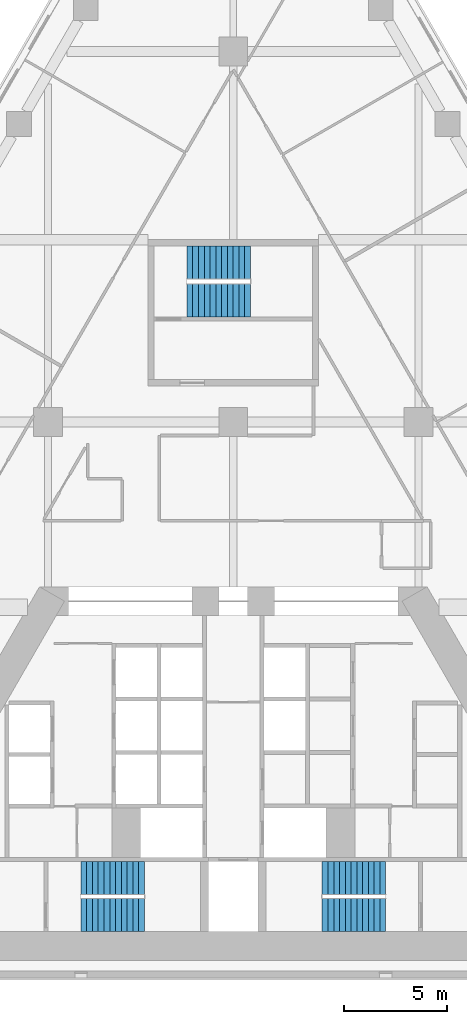
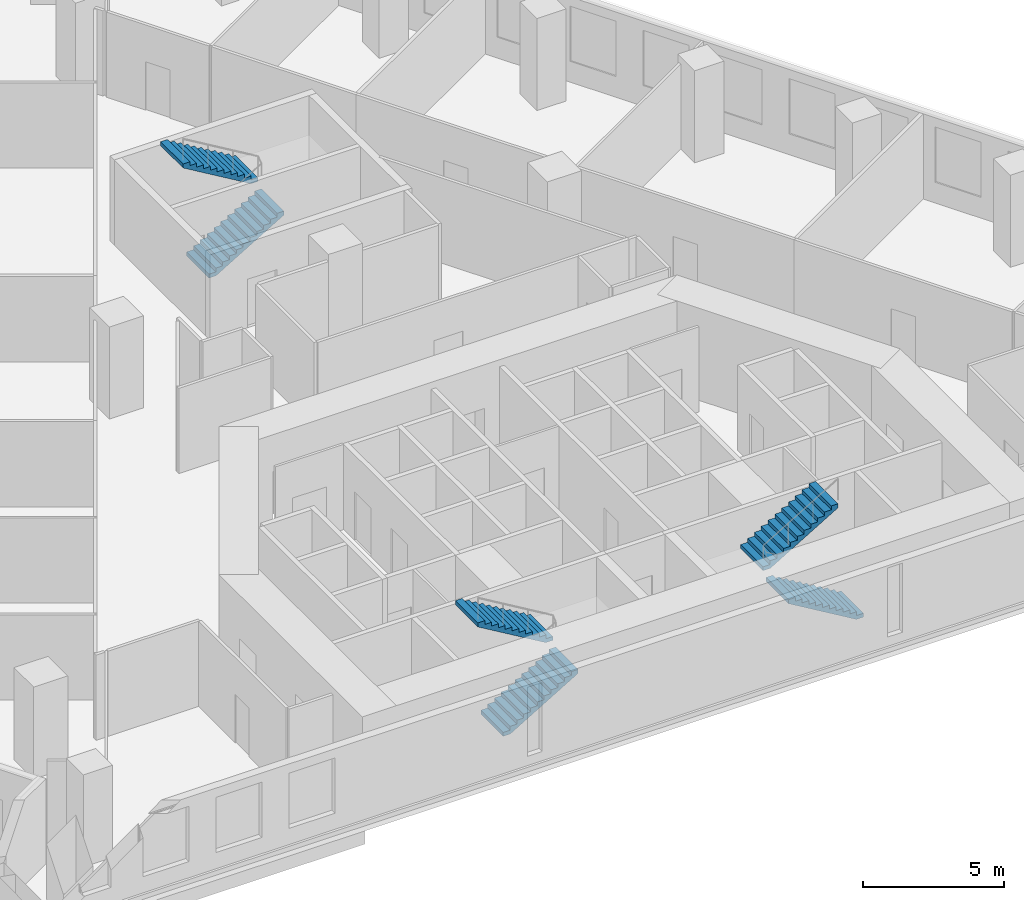
# One storey, part 10 of 11: 6 stair flights, 3 elements without a shape of their own.
"""IFC4 building model written with IfcOpenShell, lengths in metres."""

from ifc_helpers import new_model, si_unit, direction, frame, origin, place, context, subcontext, project, spatial, polyline, outline, extrude, material, type_object, element, aggregate, save


model = new_model("IFC4")

# Units and contexts
model_context = context("Model", 3, precision=1e-05, world=origin(), true_north=direction((0.0, 1.0)))
body_context = subcontext(model_context, "Body", "Model", "MODEL_VIEW")
ifc_project = project(units=[si_unit("LENGTHUNIT", "METRE"), si_unit("AREAUNIT", "SQUARE_METRE"), si_unit("VOLUMEUNIT", "CUBIC_METRE"), si_unit("PLANEANGLEUNIT", "RADIAN"), si_unit("MASSUNIT", "GRAM", prefix="KILO")], contexts=[model_context])

# Site, building, storey
site_placement = place(None, origin())
site = spatial("IfcSite", under=ifc_project, at=site_placement, CompositionType="ELEMENT")
building_placement = place(site_placement, origin())
building = spatial("IfcBuilding", under=site, at=building_placement, Name="Fogline Exchange Tower", CompositionType="ELEMENT")
storey_placement = place(building_placement, frame((0.0, 0.0, 60.89990234375)))
storey = spatial("IfcBuildingStorey", under=building, at=storey_placement, Name="L12", CompositionType="ELEMENT", Elevation=60.89990234375)

# Stair, stair flights
ifc_material = material(Name="Concrete C40", Category="concrete")
stair_type = type_object("IfcStairType", Name="STR24-1667", PredefinedType="HALF_TURN_STAIR", material=ifc_material)
stair_1_placement = place(storey_placement, origin())
stair_1 = element("IfcStair", 1, at=stair_1_placement, inside=storey, type_object=stair_type, Name="Stair ST1", PredefinedType="HALF_TURN_STAIR")
stair_flight_type = type_object("IfcStairFlightType", Name="SF12-1667", PredefinedType="STRAIGHT", material=ifc_material)
stair_flight_1_placement = place(storey_placement, frame((-7.39990234375, 3.050048828125, 0.0), z_axis=(0.0, 0.0, 1.0), x_axis=(1.0, 0.0, 0.0)))
stair_flight_1 = element("IfcStairFlight", 2, at=stair_flight_1_placement, type_object=stair_flight_type, Name="ST1 flight 1", NumberOfRisers=12, NumberOfTreads=11, PredefinedType="STRAIGHT", RiserHeight=0.166666667, TreadLength=0.28, context=body_context, shape_type="SweptSolid", body=[
    extrude(outline(polyline([(0.0, 0.0), (0.0, 0.166748046875), (0.280029296875, 0.166748046875), (0.280029296875, 0.333251953125), (0.56005859375, 0.333251953125), (0.56005859375, 0.5), (0.840087890625, 0.5), (0.840087890625, 0.666748046875), (1.1201171875, 0.666748046875), (1.1201171875, 0.833251953125), (1.39990234375, 0.833251953125), (1.39990234375, 1.0), (1.679931640625, 1.0), (1.679931640625, 1.166748046875), (1.9599609375, 1.166748046875), (1.9599609375, 1.333251953125), (2.239990234375, 1.333251953125), (2.239990234375, 1.5), (2.52001953125, 1.5), (2.52001953125, 1.666748046875), (2.800048828125, 1.666748046875), (2.800048828125, 1.833251953125), (3.080078125, 1.833251953125), (3.080078125, 2.0), (3.080078125, 1.658935546875), (0.29296875, 0.0), (0.0, 0.0)])), frame((0.0, 0.800048828125, 0.0), z_axis=(0.0, -1.0, 0.0), x_axis=(1.0, 0.0, 0.0)), (0.0, 0.0, 1.0), 1.60009765625),
])
stair_flight_2_placement = place(storey_placement, frame((-4.320068359375, 4.85009765625, 2.0), z_axis=(0.0, 0.0, 1.0), x_axis=(-1.0, 0.0, 0.0)))
stair_flight_2 = element("IfcStairFlight", 3, at=stair_flight_2_placement, type_object=stair_flight_type, Name="ST1 flight 2", NumberOfRisers=12, NumberOfTreads=11, PredefinedType="STRAIGHT", RiserHeight=0.166666667, TreadLength=0.28, context=body_context, shape_type="SweptSolid", body=[
    extrude(outline(polyline([(0.0, 0.0), (0.0, 0.166748046875), (0.280029296875, 0.166748046875), (0.280029296875, 0.333251953125), (0.56005859375, 0.333251953125), (0.56005859375, 0.5), (0.840087890625, 0.5), (0.840087890625, 0.666748046875), (1.1201171875, 0.666748046875), (1.1201171875, 0.833251953125), (1.39990234375, 0.833251953125), (1.39990234375, 1.0), (1.679931640625, 1.0), (1.679931640625, 1.166748046875), (1.9599609375, 1.166748046875), (1.9599609375, 1.333251953125), (2.239990234375, 1.333251953125), (2.239990234375, 1.5), (2.52001953125, 1.5), (2.52001953125, 1.666748046875), (2.800048828125, 1.666748046875), (2.800048828125, 1.833251953125), (3.080078125, 1.833251953125), (3.080078125, 2.0), (3.080078125, 1.658935546875), (0.29296875, 0.0), (0.0, 0.0)])), frame((0.0, 0.800048828125, 0.0), z_axis=(0.0, -1.0, 0.0), x_axis=(1.0, 0.0, 0.0)), (0.0, 0.0, 1.0), 1.60009765625),
])
aggregate(stair_1, [stair_flight_1, stair_flight_2])

stair_2_placement = place(storey_placement, origin())
stair_2 = element("IfcStair", 4, at=stair_2_placement, inside=storey, type_object=stair_type, Name="Stair ST2", PredefinedType="HALF_TURN_STAIR")
stair_flight_3_placement = place(storey_placement, frame((7.39990234375, 3.050048828125, 0.0), z_axis=(0.0, 0.0, 1.0), x_axis=(-1.0, 0.0, 0.0)))
stair_flight_3 = element("IfcStairFlight", 5, at=stair_flight_3_placement, type_object=stair_flight_type, Name="ST2 flight 1", NumberOfRisers=12, NumberOfTreads=11, PredefinedType="STRAIGHT", RiserHeight=0.166666667, TreadLength=0.28, context=body_context, shape_type="SweptSolid", body=[
    extrude(outline(polyline([(0.0, 0.0), (0.0, 0.166748046875), (0.280029296875, 0.166748046875), (0.280029296875, 0.333251953125), (0.56005859375, 0.333251953125), (0.56005859375, 0.5), (0.840087890625, 0.5), (0.840087890625, 0.666748046875), (1.1201171875, 0.666748046875), (1.1201171875, 0.833251953125), (1.39990234375, 0.833251953125), (1.39990234375, 1.0), (1.679931640625, 1.0), (1.679931640625, 1.166748046875), (1.9599609375, 1.166748046875), (1.9599609375, 1.333251953125), (2.239990234375, 1.333251953125), (2.239990234375, 1.5), (2.52001953125, 1.5), (2.52001953125, 1.666748046875), (2.800048828125, 1.666748046875), (2.800048828125, 1.833251953125), (3.080078125, 1.833251953125), (3.080078125, 2.0), (3.080078125, 1.658935546875), (0.29296875, 0.0), (0.0, 0.0)])), frame((0.0, 0.800048828125, 0.0), z_axis=(0.0, -1.0, 0.0), x_axis=(1.0, 0.0, 0.0)), (0.0, 0.0, 1.0), 1.60009765625),
])
stair_flight_4_placement = place(storey_placement, frame((4.320068359375, 4.85009765625, 2.0), z_axis=(0.0, 0.0, 1.0), x_axis=(1.0, 0.0, 0.0)))
stair_flight_4 = element("IfcStairFlight", 6, at=stair_flight_4_placement, type_object=stair_flight_type, Name="ST2 flight 2", NumberOfRisers=12, NumberOfTreads=11, PredefinedType="STRAIGHT", RiserHeight=0.166666667, TreadLength=0.28, context=body_context, shape_type="SweptSolid", body=[
    extrude(outline(polyline([(0.0, 0.0), (0.0, 0.166748046875), (0.280029296875, 0.166748046875), (0.280029296875, 0.333251953125), (0.56005859375, 0.333251953125), (0.56005859375, 0.5), (0.840087890625, 0.5), (0.840087890625, 0.666748046875), (1.1201171875, 0.666748046875), (1.1201171875, 0.833251953125), (1.39990234375, 0.833251953125), (1.39990234375, 1.0), (1.679931640625, 1.0), (1.679931640625, 1.166748046875), (1.9599609375, 1.166748046875), (1.9599609375, 1.333251953125), (2.239990234375, 1.333251953125), (2.239990234375, 1.5), (2.52001953125, 1.5), (2.52001953125, 1.666748046875), (2.800048828125, 1.666748046875), (2.800048828125, 1.833251953125), (3.080078125, 1.833251953125), (3.080078125, 2.0), (3.080078125, 1.658935546875), (0.29296875, 0.0), (0.0, 0.0)])), frame((0.0, 0.800048828125, 0.0), z_axis=(0.0, -1.0, 0.0), x_axis=(1.0, 0.0, 0.0)), (0.0, 0.0, 1.0), 1.60009765625),
])
aggregate(stair_2, [stair_flight_3, stair_flight_4])

stair_3_placement = place(storey_placement, origin())
stair_3 = element("IfcStair", 7, at=stair_3_placement, inside=storey, type_object=stair_type, Name="Stair ST3", PredefinedType="HALF_TURN_STAIR")
stair_flight_5_placement = place(storey_placement, frame((-2.25, 32.906982421875, 0.0), z_axis=(0.0, 0.0, 1.0), x_axis=(1.0, 0.0, 0.0)))
stair_flight_5 = element("IfcStairFlight", 8, at=stair_flight_5_placement, type_object=stair_flight_type, Name="ST3 flight 1", NumberOfRisers=12, NumberOfTreads=11, PredefinedType="STRAIGHT", RiserHeight=0.166666667, TreadLength=0.28, context=body_context, shape_type="SweptSolid", body=[
    extrude(outline(polyline([(0.0, 0.0), (0.0, 0.166748046875), (0.280029296875, 0.166748046875), (0.280029296875, 0.333251953125), (0.56005859375, 0.333251953125), (0.56005859375, 0.5), (0.840087890625, 0.5), (0.840087890625, 0.666748046875), (1.1201171875, 0.666748046875), (1.1201171875, 0.833251953125), (1.39990234375, 0.833251953125), (1.39990234375, 1.0), (1.679931640625, 1.0), (1.679931640625, 1.166748046875), (1.9599609375, 1.166748046875), (1.9599609375, 1.333251953125), (2.239990234375, 1.333251953125), (2.239990234375, 1.5), (2.52001953125, 1.5), (2.52001953125, 1.666748046875), (2.800048828125, 1.666748046875), (2.800048828125, 1.833251953125), (3.080078125, 1.833251953125), (3.080078125, 2.0), (3.080078125, 1.658935546875), (0.29296875, 0.0), (0.0, 0.0)])), frame((0.0, 0.800048828125, 0.0), z_axis=(0.0, -1.0, 0.0), x_axis=(1.0, 0.0, 0.0)), (0.0, 0.0, 1.0), 1.60009765625),
])
stair_flight_6_placement = place(storey_placement, frame((0.830078125, 34.757080078125, 2.0), z_axis=(0.0, 0.0, 1.0), x_axis=(-1.0, 0.0, 0.0)))
stair_flight_6 = element("IfcStairFlight", 9, at=stair_flight_6_placement, type_object=stair_flight_type, Name="ST3 flight 2", NumberOfRisers=12, NumberOfTreads=11, PredefinedType="STRAIGHT", RiserHeight=0.166666667, TreadLength=0.28, context=body_context, shape_type="SweptSolid", body=[
    extrude(outline(polyline([(0.0, 0.0), (0.0, 0.166748046875), (0.280029296875, 0.166748046875), (0.280029296875, 0.333251953125), (0.56005859375, 0.333251953125), (0.56005859375, 0.5), (0.840087890625, 0.5), (0.840087890625, 0.666748046875), (1.1201171875, 0.666748046875), (1.1201171875, 0.833251953125), (1.39990234375, 0.833251953125), (1.39990234375, 1.0), (1.679931640625, 1.0), (1.679931640625, 1.166748046875), (1.9599609375, 1.166748046875), (1.9599609375, 1.333251953125), (2.239990234375, 1.333251953125), (2.239990234375, 1.5), (2.52001953125, 1.5), (2.52001953125, 1.666748046875), (2.800048828125, 1.666748046875), (2.800048828125, 1.833251953125), (3.080078125, 1.833251953125), (3.080078125, 2.0), (3.080078125, 1.658935546875), (0.29296875, 0.0), (0.0, 0.0)])), frame((0.0, 0.800048828125, 0.0), z_axis=(0.0, -1.0, 0.0), x_axis=(1.0, 0.0, 0.0)), (0.0, 0.0, 1.0), 1.60009765625),
])
aggregate(stair_3, [stair_flight_5, stair_flight_6])

save(model, "model.ifc")
